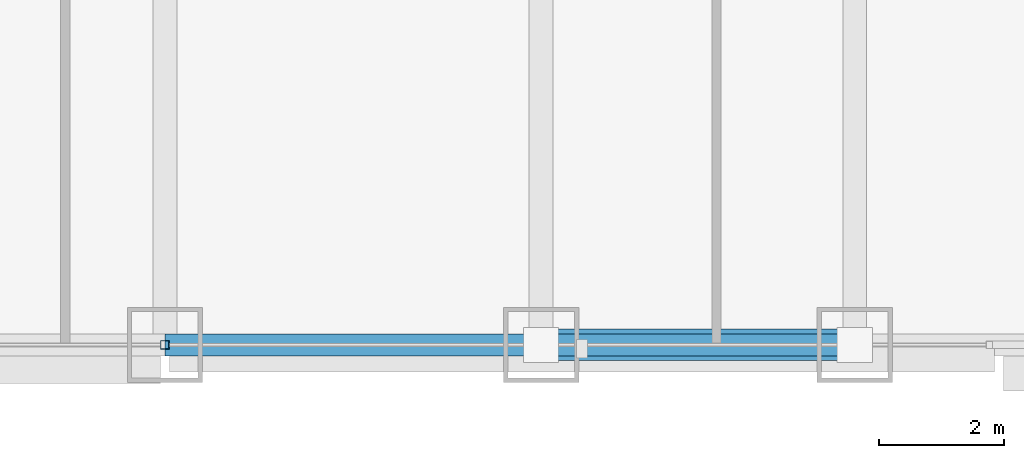
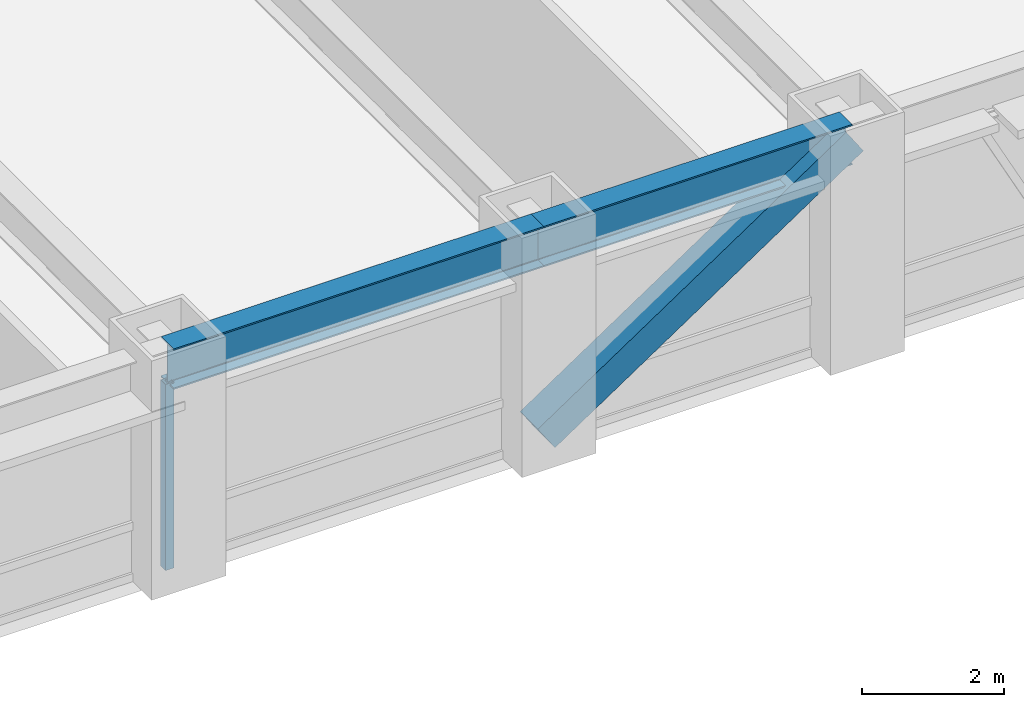
# One storey, part 4 of 32: 2 beams, 2 members, 1 element without a shape of its own.
"""IFC4 building model written with IfcOpenShell, lengths in metres."""

from ifc_helpers import new_model, si_unit, direction, frame, origin, origin_2d, place, context, subcontext, project, spatial, hollow_rectangle, i_section, extrude, source, transform, mapped, material, material_profile, profile_set, type_object, element, aggregate, save


model = new_model("IFC4")

# Units and contexts
model_context = context("Model", 3, precision=1e-05, world=origin(), true_north=direction((0.0, 1.0)))
body_context = subcontext(model_context, "Body", "Model", "MODEL_VIEW")
ifc_project = project(units=[si_unit("LENGTHUNIT", "METRE"), si_unit("AREAUNIT", "SQUARE_METRE"), si_unit("VOLUMEUNIT", "CUBIC_METRE"), si_unit("PLANEANGLEUNIT", "RADIAN"), si_unit("MASSUNIT", "GRAM", prefix="KILO")], contexts=[model_context])

# Site, building, storey
site_placement = place(None, origin())
site = spatial("IfcSite", under=ifc_project, at=site_placement, CompositionType="ELEMENT")
building_placement = place(site_placement, origin())
building = spatial("IfcBuilding", under=site, at=building_placement, Name="Khorayat Bourse Tower", CompositionType="ELEMENT")
storey_placement = place(building_placement, frame((0.0, 0.0, 128.300048828125)))
storey = spatial("IfcBuildingStorey", under=building, at=storey_placement, Name="L29", CompositionType="ELEMENT", Elevation=128.300048828125)

# Beams
ifc_material_1 = material(Name="Steel ASTM A992 Grade 50", Category="steel")
ifc_material_profile_1 = material_profile(ifc_material_1, i_section(OverallWidth=0.35498046875, OverallDepth=0.695068359375, WebThickness=0.015380859375, FlangeThickness=0.02490234375, FilletRadius=0.01806640625, at=origin_2d()), Name="W690X217")
ifc_profile_set_1 = profile_set([ifc_material_profile_1], Name="Steel ASTM A992 Grade 50")
beam_type = type_object("IfcBeamType", Name="BM-SPAN-690", PredefinedType="SPANDREL", material=ifc_profile_set_1)
shared_shape_1 = source(origin(), body_context, "Body", "SweptSolid", [
    extrude(i_section(OverallWidth=0.35498046875, OverallDepth=0.695068359375, WebThickness=0.015380859375, FlangeThickness=0.02490234375, FilletRadius=0.01806640625, at=origin_2d()), origin(), (0.0, 0.0, 1.0), 5.0),
])
beam_1_placement = place(storey_placement, frame((6.0, -32.0, 3.492431640625), z_axis=(1.0, 0.0, 0.0), x_axis=(0.0, 1.0, 0.0)))
element("IfcBeam", 1, at=beam_1_placement, inside=storey, type_object=beam_type, Name="L29 BM-SPAN-690 BM-L29-SPN-029", PredefinedType="SPANDREL", context=body_context, shape_type="MappedRepresentation", body=[
    mapped(shared_shape_1, transform((0.0, 0.0, 0.0), scale=1.0)),
])
shared_shape_2 = source(origin(), body_context, "Body", "SweptSolid", [
    extrude(i_section(OverallWidth=0.35498046875, OverallDepth=0.695068359375, WebThickness=0.015380859375, FlangeThickness=0.02490234375, FilletRadius=0.01806640625, at=origin_2d()), origin(), (0.0, 0.0, 1.0), 6.0),
])
beam_2_placement = place(storey_placement, frame((0.0, -32.0, 3.492431640625), z_axis=(1.0, 0.0, 0.0), x_axis=(0.0, 1.0, 0.0)))
element("IfcBeam", 2, at=beam_2_placement, inside=storey, type_object=beam_type, Name="L29 BM-SPAN-690 BM-L29-SPN-028", PredefinedType="SPANDREL", context=body_context, shape_type="MappedRepresentation", body=[
    mapped(shared_shape_2, transform((0.0, 0.0, 0.0), scale=1.0)),
])

# Member
ifc_material_2 = material(Name="Steel EN 10025-4 S460M", Category="steel")
ifc_material_profile_2 = material_profile(ifc_material_2, hollow_rectangle(XDim=0.5, YDim=0.5, WallThickness=0.028076171875, at=origin_2d()), Name="HSS 500x500x28")
ifc_profile_set_2 = profile_set([ifc_material_profile_2], Name="Steel EN 10025-4 S460M")
member_type_1 = type_object("IfcMemberType", Name="MBR-TUBE-500", PredefinedType="BRACE", material=ifc_profile_set_2)
shared_shape_3 = source(origin(), body_context, "Body", "SweptSolid", [
    extrude(hollow_rectangle(XDim=0.5, YDim=0.5, WallThickness=0.028076171875, at=origin_2d()), origin(), (0.0, 0.0, 1.0), 6.012939453125),
])
member_1_placement = place(storey_placement, frame((6.0, -32.0, 0.25), z_axis=(0.831550226979, 0.0, 0.555449565677), x_axis=(0.0, 1.0, 0.0)))
element("IfcMember", 3, at=member_1_placement, inside=storey, type_object=member_type_1, Name="L29 Perimeter Tube Brace 02", PredefinedType="BRACE", context=body_context, shape_type="MappedRepresentation", body=[
    mapped(shared_shape_3, transform((0.0, 0.0, 0.0), scale=1.0)),
])

# Curtain wall, member
ifc_material_3 = material(Name="Aluminium EN AW-6063 T6", Category="aluminium")
curtain_wall_type = type_object("IfcCurtainWallType", Name="CW-SYS-02", PredefinedType="NOTDEFINED", material=ifc_material_3)
curtain_wall_placement = place(storey_placement, origin())
curtain_wall = element("IfcCurtainWall", 4, at=curtain_wall_placement, inside=storey, type_object=curtain_wall_type, Name="L29 Curtain Wall CW-L29-S1", PredefinedType="NOTDEFINED")
ifc_material_profile_3 = material_profile(ifc_material_3, hollow_rectangle(XDim=0.139892578125, YDim=0.139892578125, WallThickness=0.006103515625, at=origin_2d()), Name="ALU 140x140x6")
ifc_profile_set_3 = profile_set([ifc_material_profile_3], Name="Aluminium EN AW-6063 T6")
member_type_2 = type_object("IfcMemberType", Name="CWM-VERT-140", PredefinedType="MULLION", material=ifc_profile_set_3)
shared_shape_4 = source(origin(), body_context, "Body", "SweptSolid", [
    extrude(hollow_rectangle(XDim=0.139892578125, YDim=0.139892578125, WallThickness=0.006103515625, at=origin_2d()), origin(), (0.0, 0.0, 1.0), 3.18994140625),
])
member_2_placement = place(storey_placement, frame((0.0, -32.0, 0.0), z_axis=(0.0, 0.0, 1.0), x_axis=(0.0, 1.0, 0.0)))
member_2 = element("IfcMember", 5, at=member_2_placement, type_object=member_type_2, Name="CW-L29-S1 Vertical Mullion 2", PredefinedType="MULLION", context=body_context, shape_type="MappedRepresentation", body=[
    mapped(shared_shape_4, transform((0.0, 0.0, 0.0), scale=1.0)),
])
aggregate(curtain_wall, [member_2])

save(model, "model.ifc")
